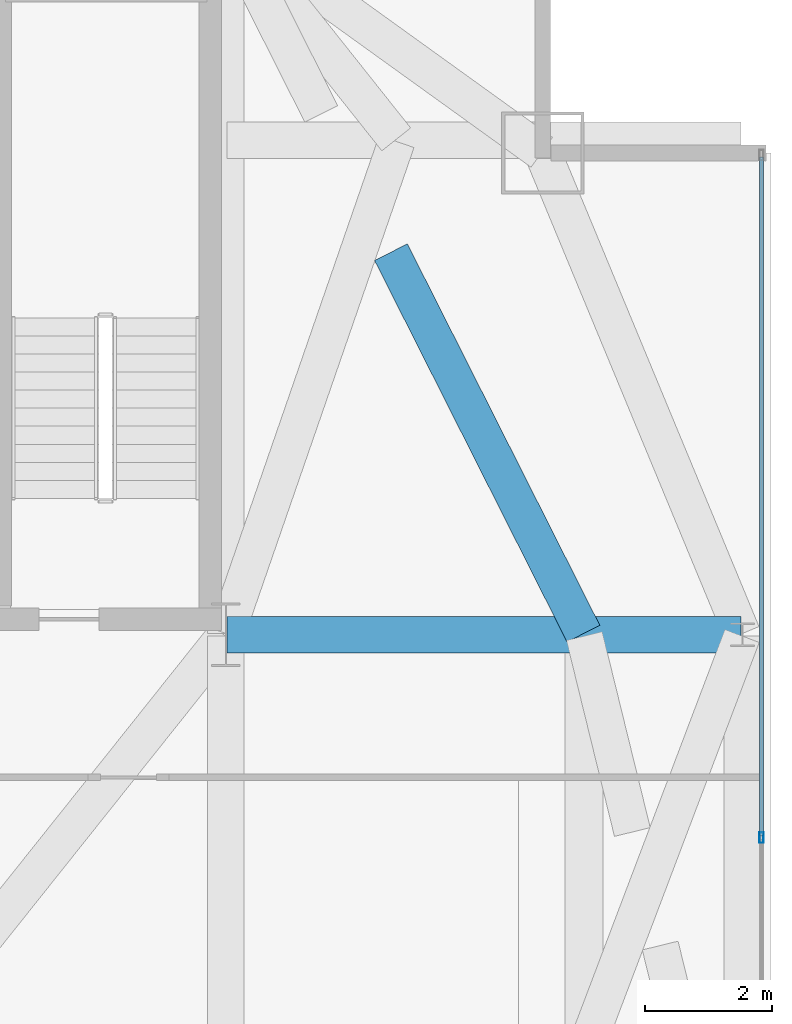
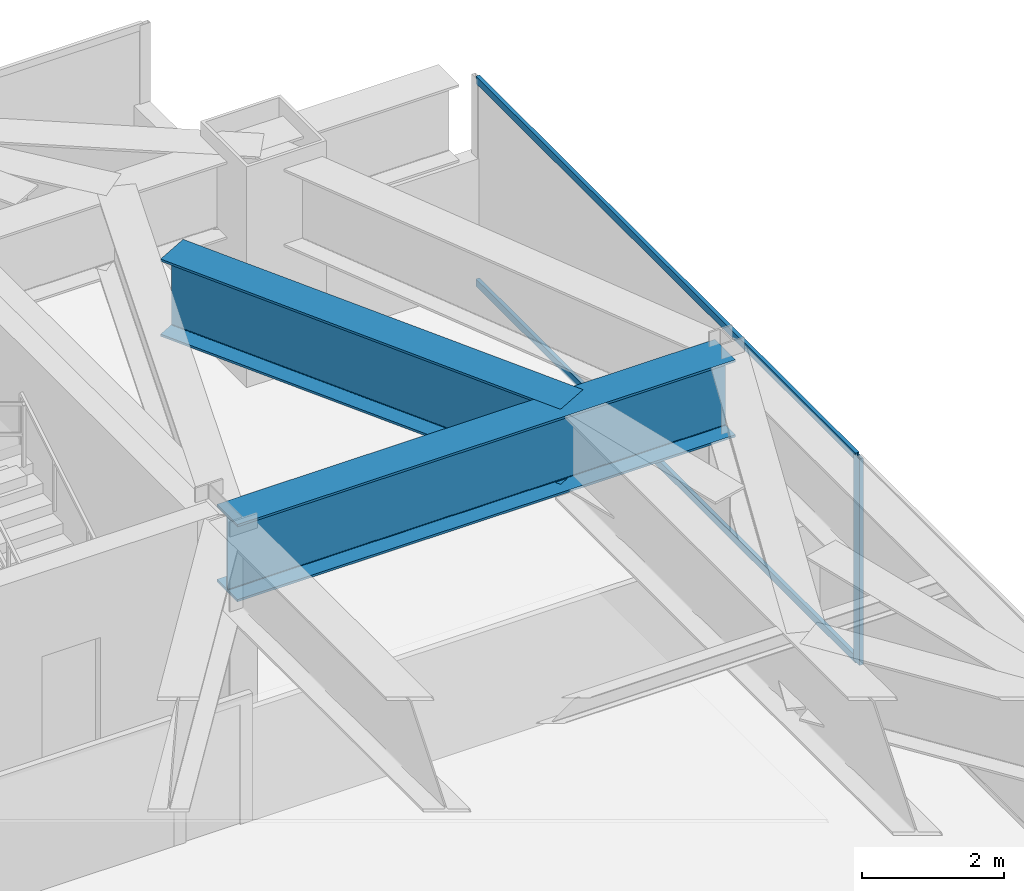
# One storey, part 19 of 26: 3 members, 2 beams, 1 element without a shape of its own.
"""IFC4 building model written with IfcOpenShell, lengths in metres."""

from ifc_helpers import new_model, si_unit, direction, frame, origin, origin_2d, place, context, subcontext, project, spatial, hollow_rectangle, i_section, extrude, source, transform, mapped, material, layer, layer_set, material_profile, profile_set, type_object, type_shapes, element, aggregate, save


model = new_model("IFC4")

# Units and contexts
model_context = context("Model", 3, precision=1e-05, world=origin(), true_north=direction((0.0, 1.0)))
body_context = subcontext(model_context, "Body", "Model", "MODEL_VIEW")
ifc_project = project(units=[si_unit("LENGTHUNIT", "METRE"), si_unit("AREAUNIT", "SQUARE_METRE"), si_unit("VOLUMEUNIT", "CUBIC_METRE"), si_unit("PLANEANGLEUNIT", "RADIAN"), si_unit("MASSUNIT", "GRAM", prefix="KILO")], contexts=[model_context])

# Site, building, storey
site_placement = place(None, origin())
site = spatial("IfcSite", under=ifc_project, at=site_placement, CompositionType="ELEMENT")
building_placement = place(site_placement, origin())
building = spatial("IfcBuilding", under=site, at=building_placement, Name="Varnel Quay Broadcast Tower", CompositionType="ELEMENT")
storey_placement = place(building_placement, frame((0.0, 0.0, 196.0)))
storey = spatial("IfcBuildingStorey", under=building, at=storey_placement, Name="L48", CompositionType="ELEMENT", Elevation=196.0)

# Beams
ifc_material_1 = material(Name="Structural Steel CSA G40.21 350WT", Category="steel")
ifc_material_profile_1 = material_profile(ifc_material_1, i_section(OverallWidth=0.580078125, OverallDepth=1.330078125, WebThickness=0.02197265625, FlangeThickness=0.0380859375, FilletRadius=0.02001953125, at=origin_2d()), Name="WWF1330X535")
ifc_profile_set_1 = profile_set([ifc_material_profile_1], Name="Structural Steel CSA G40.21 350WT")
beam_type = type_object("IfcBeamType", Name="Girder_WWF1330X535", PredefinedType="BEAM", material=ifc_profile_set_1)
shared_shape_1 = source(origin(), body_context, "Body", "SweptSolid", [
    extrude(i_section(OverallWidth=0.580078125, OverallDepth=1.330078125, WebThickness=0.02197265625, FlangeThickness=0.0380859375, FilletRadius=0.02001953125, at=origin_2d()), origin(), (0.0, 0.0, 1.0), 8.110107421875),
])
beam_1_placement = place(storey_placement, frame((52.419921875, 35.60009765625, 2.885009765625), z_axis=(1.0, 0.0, 0.0), x_axis=(0.0, 1.0, 0.0)))
element("IfcBeam", 1, at=beam_1_placement, inside=storey, type_object=beam_type, Name="L48 East Core Tie Transfer", PredefinedType="BEAM", context=body_context, shape_type="MappedRepresentation", body=[
    mapped(shared_shape_1, transform((0.0, 0.0, 0.0), x_axis=(1.0, 0.0, 0.0), y_axis=(0.0, 1.0, 0.0), z_axis=(0.0, 0.0, 1.0), scale=1.0)),
])
shared_shape_2 = source(origin(), body_context, "Body", "SweptSolid", [
    extrude(i_section(OverallWidth=0.580078125, OverallDepth=1.330078125, WebThickness=0.02197265625, FlangeThickness=0.0380859375, FilletRadius=0.02001953125, at=origin_2d()), origin(), (0.0, 0.0, 1.0), 6.74072265625),
])
type_shapes(beam_type, [shared_shape_1, shared_shape_2])
beam_2_placement = place(storey_placement, frame((55.0048828125, 41.63623046875, 2.885009765625), z_axis=(0.450412439792, -0.892820605766, 0.0), x_axis=(0.892820605766, 0.450412439792, 0.0)))
element("IfcBeam", 2, at=beam_2_placement, inside=storey, type_object=beam_type, Name="L48 X-Braced Transfer Tie TC-E3-CC-N5 Part 2", PredefinedType="BEAM", context=body_context, shape_type="MappedRepresentation", body=[
    mapped(shared_shape_2, transform((0.0, 0.0, 0.0), x_axis=(1.0, 0.0, 0.0), y_axis=(0.0, 1.0, 0.0), z_axis=(0.0, 0.0, 1.0), scale=1.0)),
])

# Curtain wall, members
ifc_material_2 = material(Name="Anodised Bronze Aluminium 6063-T6", Category="aluminium")
ifc_layer = layer(ifc_material_2, 0.18994140625, Name="Anodised Bronze Aluminium 6063-T6")
ifc_layer_set = layer_set([ifc_layer], Name="Anodised Bronze Aluminium 6063-T6")
curtain_wall_type = type_object("IfcCurtainWallType", Name="CW_UpperTower", PredefinedType="NOTDEFINED", material=ifc_layer_set)
curtain_wall_placement = place(storey_placement, origin())
curtain_wall = element("IfcCurtainWall", 3, at=curtain_wall_placement, inside=storey, type_object=curtain_wall_type, Name="L48 East Unitised Curtain Wall", PredefinedType="NOTDEFINED")
ifc_material_profile_2 = material_profile(ifc_material_2, hollow_rectangle(XDim=0.06494140625, YDim=0.1650390625, WallThickness=0.00341796875, at=origin_2d()), Name="ALU65X165X3.5")
ifc_profile_set_2 = profile_set([ifc_material_profile_2], Name="Anodised Bronze Aluminium 6063-T6")
member_type_1 = type_object("IfcMemberType", Name="Mull_CWS-03", PredefinedType="MULLION", material=ifc_profile_set_2)
shared_shape_3 = source(origin(), body_context, "Body", "SweptSolid", [
    extrude(hollow_rectangle(XDim=0.06494140625, YDim=0.1650390625, WallThickness=0.00341796875, at=origin_2d()), origin(), (0.0, 0.0, 1.0), 3.550048828125),
])
type_shapes(member_type_1, [shared_shape_3])
member_1_placement = place(storey_placement, frame((60.85009765625, 32.39990234375, 0.0), z_axis=(0.0, 0.0, 1.0), x_axis=(-1.0, 0.0, 0.0)))
member_1 = element("IfcMember", 4, at=member_1_placement, type_object=member_type_1, Name="CWS-03 mullion 3", PredefinedType="MULLION", context=body_context, shape_type="MappedRepresentation", body=[
    mapped(shared_shape_3, transform((0.0, 0.0, 0.0), x_axis=(1.0, 0.0, 0.0), y_axis=(0.0, 1.0, 0.0), z_axis=(0.0, 0.0, 1.0), scale=1.0)),
])
ifc_material_profile_3 = material_profile(ifc_material_2, hollow_rectangle(XDim=0.06005859375, YDim=0.125, WallThickness=0.0029296875, at=origin_2d()), Name="ALU60X125X3")
ifc_profile_set_3 = profile_set([ifc_material_profile_3], Name="Anodised Bronze Aluminium 6063-T6")
member_type_2 = type_object("IfcMemberType", Name="Tran_CWS-03", PredefinedType="USERDEFINED", material=ifc_profile_set_3)
shared_shape_4 = source(origin(), body_context, "Body", "SweptSolid", [
    extrude(hollow_rectangle(XDim=0.06005859375, YDim=0.125, WallThickness=0.0029296875, at=origin_2d()), origin(), (0.0, 0.0, 1.0), 10.702392578125),
])
type_shapes(member_type_2, [shared_shape_4])
member_2_placement = place(storey_placement, frame((60.85009765625, 32.4326171875, 0.030029296875), z_axis=(0.0, 1.0, 0.0), x_axis=(-1.0, 0.0, 0.0)))
member_2 = element("IfcMember", 5, at=member_2_placement, type_object=member_type_2, Name="CWS-03 transom 3.1", ObjectType="TRANSOM", PredefinedType="USERDEFINED", context=body_context, shape_type="MappedRepresentation", body=[
    mapped(shared_shape_4, transform((0.0, 0.0, 0.0), x_axis=(1.0, 0.0, 0.0), y_axis=(0.0, 1.0, 0.0), z_axis=(0.0, 0.0, 1.0), scale=1.0)),
])
member_3_placement = place(storey_placement, frame((60.85009765625, 32.4326171875, 3.52001953125), z_axis=(0.0, 1.0, 0.0), x_axis=(-1.0, 0.0, 0.0)))
member_3 = element("IfcMember", 6, at=member_3_placement, type_object=member_type_2, Name="CWS-03 transom 3.2", ObjectType="TRANSOM", PredefinedType="USERDEFINED", context=body_context, shape_type="MappedRepresentation", body=[
    mapped(shared_shape_4, transform((0.0, 0.0, 0.0), x_axis=(1.0, 0.0, 0.0), y_axis=(0.0, 1.0, 0.0), z_axis=(0.0, 0.0, 1.0), scale=1.0)),
])
aggregate(curtain_wall, [member_1, member_2, member_3])

save(model, "model.ifc")
